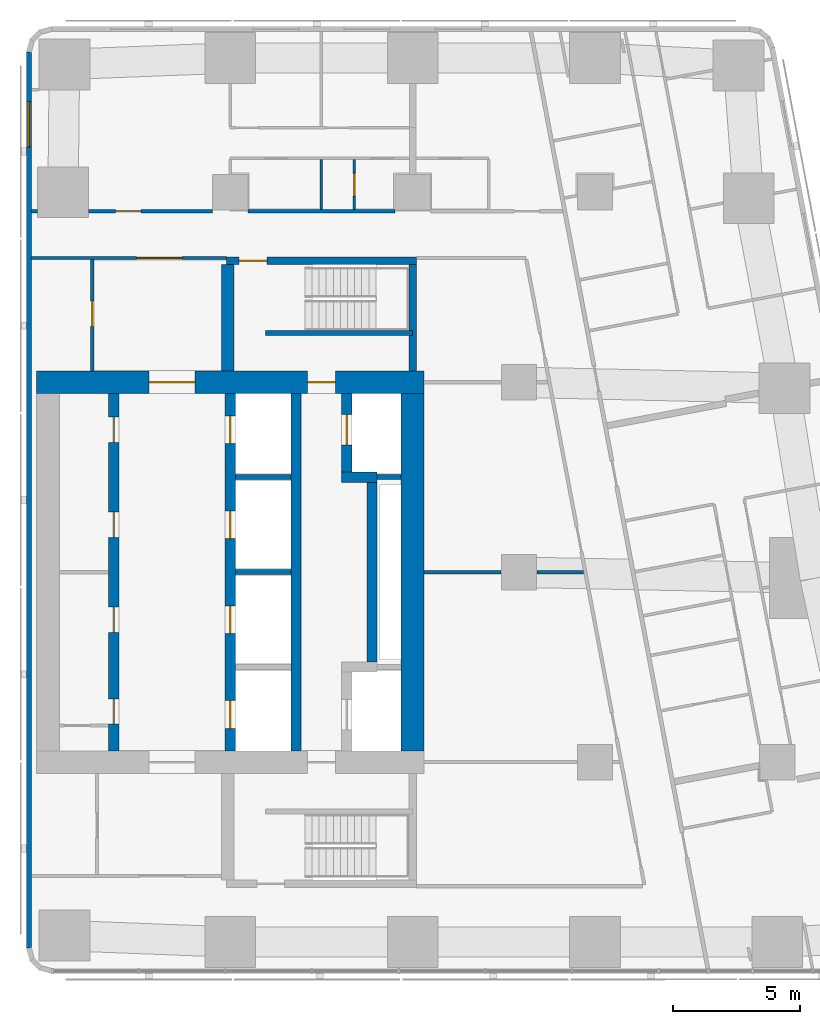
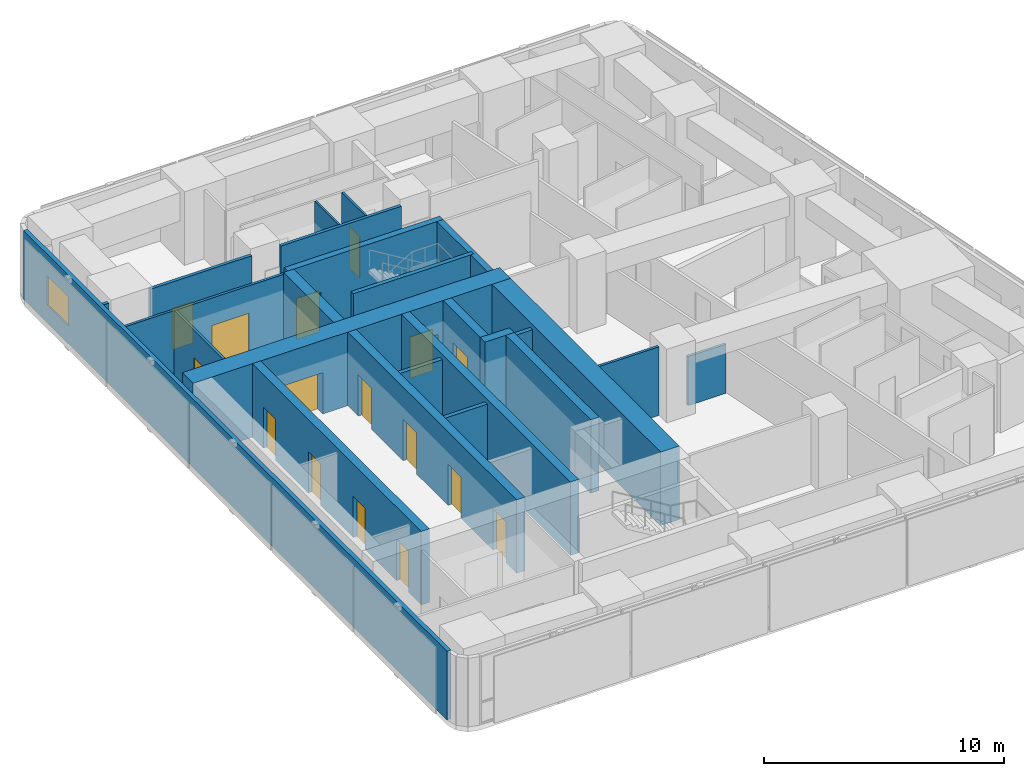
# One storey, part 6 of 11: 25 walls, 16 doors, 1 window, 17 openings.
"""IFC4 building model written with IfcOpenShell, lengths in metres."""

from ifc_helpers import new_model, si_unit, direction, frame, frame_2d, origin, place, context, subcontext, project, spatial, rectangle, extrude, material, layer, layer_set, type_object, element, fill, save


model = new_model("IFC4")

# Units and contexts
model_context = context("Model", 3, precision=1e-05, world=origin(), true_north=direction((0.0, 1.0)))
body_context = subcontext(model_context, "Body", "Model", "MODEL_VIEW")
ifc_project = project(units=[si_unit("LENGTHUNIT", "METRE"), si_unit("AREAUNIT", "SQUARE_METRE"), si_unit("VOLUMEUNIT", "CUBIC_METRE"), si_unit("PLANEANGLEUNIT", "RADIAN"), si_unit("MASSUNIT", "GRAM", prefix="KILO")], contexts=[model_context])

# Site, building, storey
site_placement = place(None, origin())
site = spatial("IfcSite", under=ifc_project, at=site_placement, CompositionType="ELEMENT")
building_placement = place(site_placement, origin())
building = spatial("IfcBuilding", under=site, at=building_placement, Name="Sheger Commons Tower", CompositionType="ELEMENT")
storey_placement = place(building_placement, frame((0.0, 0.0, 274.10009765625)))
storey = spatial("IfcBuildingStorey", under=building, at=storey_placement, Name="L70", CompositionType="ELEMENT", Elevation=274.10009765625)

# Wall, openings, doors
ifc_material_1 = material(Name="Concrete C50/60", Category="concrete")
ifc_layer_1 = layer(ifc_material_1, 0.39990234375)
ifc_layer_set_1 = layer_set([ifc_layer_1], Name="CORE INNER WALL 400")
wall_type_1 = type_object("IfcWallType", Name="CORE INNER WALL 400", PredefinedType="SHEAR", material=ifc_layer_set_1)
wall_1_placement = place(storey_placement, frame((17.0, 15.449951171875, 0.0), z_axis=(0.0, 0.0, 1.0), x_axis=(0.0, 1.0, 0.0)))
wall_1 = element("IfcWall", 1, at=wall_1_placement, inside=storey, type_object=wall_type_1, Name="Core inner wall A L70", PredefinedType="SHEAR", context=body_context, shape_type="SweptSolid", body=[
    extrude(rectangle(XDim=14.10009765625, YDim=0.39990234375, at=frame_2d((7.050048828125, 0.0))), origin(), (0.0, 0.0, 1.0), 3.75),
])
opening_1_placement = place(wall_1_placement, frame((1.050048828125, 0.0, 0.0)))
opening_1 = element("IfcOpeningElement", 2, at=opening_1_placement, cuts=wall_1, Name="Opening D4", PredefinedType="OPENING", context=body_context, shape_type="SweptSolid", body=[
    extrude(rectangle(XDim=1.0, YDim=2.10009765625, at=frame_2d((0.5, 1.050048828125))), frame((0.0, 0.2099609375, 0.0), z_axis=(0.0, -1.0, 0.0), x_axis=(1.0, 0.0, 0.0)), (0.0, 0.0, 1.0), 0.419921875),
])
opening_2_placement = place(wall_1_placement, frame((4.675048828125, 0.0, 0.0)))
opening_2 = element("IfcOpeningElement", 3, at=opening_2_placement, cuts=wall_1, Name="Opening D4", PredefinedType="OPENING", context=body_context, shape_type="SweptSolid", body=[
    extrude(rectangle(XDim=1.0, YDim=2.10009765625, at=frame_2d((0.5, 1.050048828125))), frame((0.0, 0.2099609375, 0.0), z_axis=(0.0, -1.0, 0.0), x_axis=(1.0, 0.0, 0.0)), (0.0, 0.0, 1.0), 0.419921875),
])
opening_3_placement = place(wall_1_placement, frame((8.425048828125, 0.0, 0.0)))
opening_3 = element("IfcOpeningElement", 4, at=opening_3_placement, cuts=wall_1, Name="Opening D4", PredefinedType="OPENING", context=body_context, shape_type="SweptSolid", body=[
    extrude(rectangle(XDim=1.0, YDim=2.10009765625, at=frame_2d((0.5, 1.050048828125))), frame((0.0, 0.2099609375, 0.0), z_axis=(0.0, -1.0, 0.0), x_axis=(1.0, 0.0, 0.0)), (0.0, 0.0, 1.0), 0.419921875),
])
opening_4_placement = place(wall_1_placement, frame((12.175048828125, 0.0, 0.0)))
opening_4 = element("IfcOpeningElement", 5, at=opening_4_placement, cuts=wall_1, Name="Opening D4", PredefinedType="OPENING", context=body_context, shape_type="SweptSolid", body=[
    extrude(rectangle(XDim=1.0, YDim=2.10009765625, at=frame_2d((0.5, 1.050048828125))), frame((0.0, 0.2099609375, 0.0), z_axis=(0.0, -1.0, 0.0), x_axis=(1.0, 0.0, 0.0)), (0.0, 0.0, 1.0), 0.419921875),
])
ifc_material_2 = material(Name="Steel door set, fire rated", Category="steel")
door_type_1 = type_object("IfcDoorType", Name="SERVICE DOOR 1000x2100", OperationType="NOTDEFINED", PredefinedType="DOOR", material=ifc_material_2)
door_1_placement = place(opening_1_placement, origin())
door_1 = element("IfcDoor", 6, at=door_1_placement, inside=storey, type_object=door_type_1, Name="Residents' bulky goods store door", OperationType="SINGLE_SWING_LEFT", OverallHeight=2.10009765625, OverallWidth=1.0, PredefinedType="DOOR", context=body_context, shape_type="SweptSolid", body=[
    extrude(rectangle(XDim=1.0, YDim=2.10009765625, at=frame_2d((0.5, 1.050048828125))), frame((0.0, 0.02490234375, 0.0), z_axis=(0.0, -1.0, 0.0), x_axis=(1.0, 0.0, 0.0)), (0.0, 0.0, 1.0), 0.050048828125),
])
fill(opening_1, door_1)
door_2_placement = place(opening_2_placement, origin())
door_2 = element("IfcDoor", 7, at=door_2_placement, inside=storey, type_object=door_type_1, Name="Residents' bulky goods store door", OperationType="SINGLE_SWING_RIGHT", OverallHeight=2.10009765625, OverallWidth=1.0, PredefinedType="DOOR", context=body_context, shape_type="SweptSolid", body=[
    extrude(rectangle(XDim=1.0, YDim=2.10009765625, at=frame_2d((0.5, 1.050048828125))), frame((0.0, 0.02490234375, 0.0), z_axis=(0.0, -1.0, 0.0), x_axis=(1.0, 0.0, 0.0)), (0.0, 0.0, 1.0), 0.050048828125),
])
fill(opening_2, door_2)
door_3_placement = place(opening_3_placement, origin())
door_3 = element("IfcDoor", 8, at=door_3_placement, inside=storey, type_object=door_type_1, Name="Maintenance workshop door", OperationType="SINGLE_SWING_LEFT", OverallHeight=2.10009765625, OverallWidth=1.0, PredefinedType="DOOR", context=body_context, shape_type="SweptSolid", body=[
    extrude(rectangle(XDim=1.0, YDim=2.10009765625, at=frame_2d((0.5, 1.050048828125))), frame((0.0, 0.02490234375, 0.0), z_axis=(0.0, -1.0, 0.0), x_axis=(1.0, 0.0, 0.0)), (0.0, 0.0, 1.0), 0.050048828125),
])
fill(opening_3, door_3)
door_4_placement = place(opening_4_placement, origin())
door_4 = element("IfcDoor", 9, at=door_4_placement, inside=storey, type_object=door_type_1, Name="Maintenance workshop door", OperationType="SINGLE_SWING_RIGHT", OverallHeight=2.10009765625, OverallWidth=1.0, PredefinedType="DOOR", context=body_context, shape_type="SweptSolid", body=[
    extrude(rectangle(XDim=1.0, YDim=2.10009765625, at=frame_2d((0.5, 1.050048828125))), frame((0.0, 0.02490234375, 0.0), z_axis=(0.0, -1.0, 0.0), x_axis=(1.0, 0.0, 0.0)), (0.0, 0.0, 1.0), 0.050048828125),
])
fill(opening_4, door_4)

wall_2_placement = place(storey_placement, frame((21.60009765625, 15.449951171875, 0.0), z_axis=(0.0, 0.0, 1.0), x_axis=(0.0, 1.0, 0.0)))
wall_2 = element("IfcWall", 10, at=wall_2_placement, inside=storey, type_object=wall_type_1, Name="Core inner wall L L70", PredefinedType="SHEAR", context=body_context, shape_type="SweptSolid", body=[
    extrude(rectangle(XDim=14.10009765625, YDim=0.39990234375, at=frame_2d((7.050048828125, 0.0))), origin(), (0.0, 0.0, 1.0), 3.75),
])
opening_5_placement = place(wall_2_placement, frame((0.875, 0.0, 0.0)))
opening_5 = element("IfcOpeningElement", 11, at=opening_5_placement, cuts=wall_2, Name="Opening LD", PredefinedType="OPENING", context=body_context, shape_type="SweptSolid", body=[
    extrude(rectangle(XDim=1.10009765625, YDim=2.10009765625, at=frame_2d((0.550048828125, 1.050048828125))), frame((0.0, 0.2099609375, 0.0), z_axis=(0.0, -1.0, 0.0), x_axis=(1.0, 0.0, 0.0)), (0.0, 0.0, 1.0), 0.419921875),
])
opening_6_placement = place(wall_2_placement, frame((4.625, 0.0, 0.0)))
opening_6 = element("IfcOpeningElement", 12, at=opening_6_placement, cuts=wall_2, Name="Opening LD", PredefinedType="OPENING", context=body_context, shape_type="SweptSolid", body=[
    extrude(rectangle(XDim=1.10009765625, YDim=2.10009765625, at=frame_2d((0.550048828125, 1.050048828125))), frame((0.0, 0.2099609375, 0.0), z_axis=(0.0, -1.0, 0.0), x_axis=(1.0, 0.0, 0.0)), (0.0, 0.0, 1.0), 0.419921875),
])
opening_7_placement = place(wall_2_placement, frame((8.375, 0.0, 0.0)))
opening_7 = element("IfcOpeningElement", 13, at=opening_7_placement, cuts=wall_2, Name="Opening LD", PredefinedType="OPENING", context=body_context, shape_type="SweptSolid", body=[
    extrude(rectangle(XDim=1.10009765625, YDim=2.10009765625, at=frame_2d((0.550048828125, 1.050048828125))), frame((0.0, 0.2099609375, 0.0), z_axis=(0.0, -1.0, 0.0), x_axis=(1.0, 0.0, 0.0)), (0.0, 0.0, 1.0), 0.419921875),
])
opening_8_placement = place(wall_2_placement, frame((12.125, 0.0, 0.0)))
opening_8 = element("IfcOpeningElement", 14, at=opening_8_placement, cuts=wall_2, Name="Opening LD", PredefinedType="OPENING", context=body_context, shape_type="SweptSolid", body=[
    extrude(rectangle(XDim=1.10009765625, YDim=2.10009765625, at=frame_2d((0.550048828125, 1.050048828125))), frame((0.0, 0.2099609375, 0.0), z_axis=(0.0, -1.0, 0.0), x_axis=(1.0, 0.0, 0.0)), (0.0, 0.0, 1.0), 0.419921875),
])
ifc_material_3 = material(Name="Steel door set, fire rated", Category="steel")
door_type_2 = type_object("IfcDoorType", Name="LIFT LANDING DOOR 1100x2100", OperationType="DOUBLE_DOOR_SLIDING", PredefinedType="DOOR", material=ifc_material_3)
door_5_placement = place(opening_5_placement, origin())
door_5 = element("IfcDoor", 15, at=door_5_placement, inside=storey, type_object=door_type_2, Name="Lift LB1 landing door", OperationType="DOUBLE_DOOR_SLIDING", OverallHeight=2.10009765625, OverallWidth=1.10009765625, PredefinedType="DOOR", context=body_context, shape_type="SweptSolid", body=[
    extrude(rectangle(XDim=1.10009765625, YDim=2.10009765625, at=frame_2d((0.550048828125, 1.050048828125))), frame((0.0, 0.02490234375, 0.0), z_axis=(0.0, -1.0, 0.0), x_axis=(1.0, 0.0, 0.0)), (0.0, 0.0, 1.0), 0.050048828125),
])
fill(opening_5, door_5)
door_6_placement = place(opening_6_placement, origin())
door_6 = element("IfcDoor", 16, at=door_6_placement, inside=storey, type_object=door_type_2, Name="Lift LB2 landing door", OperationType="DOUBLE_DOOR_SLIDING", OverallHeight=2.10009765625, OverallWidth=1.10009765625, PredefinedType="DOOR", context=body_context, shape_type="SweptSolid", body=[
    extrude(rectangle(XDim=1.10009765625, YDim=2.10009765625, at=frame_2d((0.550048828125, 1.050048828125))), frame((0.0, 0.02490234375, 0.0), z_axis=(0.0, -1.0, 0.0), x_axis=(1.0, 0.0, 0.0)), (0.0, 0.0, 1.0), 0.050048828125),
])
fill(opening_6, door_6)
door_7_placement = place(opening_7_placement, origin())
door_7 = element("IfcDoor", 17, at=door_7_placement, inside=storey, type_object=door_type_2, Name="Lift LB3 landing door", OperationType="DOUBLE_DOOR_SLIDING", OverallHeight=2.10009765625, OverallWidth=1.10009765625, PredefinedType="DOOR", context=body_context, shape_type="SweptSolid", body=[
    extrude(rectangle(XDim=1.10009765625, YDim=2.10009765625, at=frame_2d((0.550048828125, 1.050048828125))), frame((0.0, 0.02490234375, 0.0), z_axis=(0.0, -1.0, 0.0), x_axis=(1.0, 0.0, 0.0)), (0.0, 0.0, 1.0), 0.050048828125),
])
fill(opening_7, door_7)
door_8_placement = place(opening_8_placement, origin())
door_8 = element("IfcDoor", 18, at=door_8_placement, inside=storey, type_object=door_type_2, Name="Lift LB4 landing door", OperationType="DOUBLE_DOOR_SLIDING", OverallHeight=2.10009765625, OverallWidth=1.10009765625, PredefinedType="DOOR", context=body_context, shape_type="SweptSolid", body=[
    extrude(rectangle(XDim=1.10009765625, YDim=2.10009765625, at=frame_2d((0.550048828125, 1.050048828125))), frame((0.0, 0.02490234375, 0.0), z_axis=(0.0, -1.0, 0.0), x_axis=(1.0, 0.0, 0.0)), (0.0, 0.0, 1.0), 0.050048828125),
])
fill(opening_8, door_8)

# Walls
wall_3_placement = place(storey_placement, frame((24.199951171875, 15.449951171875, 0.0), z_axis=(0.0, 0.0, 1.0), x_axis=(0.0, 1.0, 0.0)))
element("IfcWall", 19, at=wall_3_placement, inside=storey, type_object=wall_type_1, Name="Core inner wall B L70", PredefinedType="SHEAR", context=body_context, shape_type="SweptSolid", body=[
    extrude(rectangle(XDim=14.10009765625, YDim=0.39990234375, at=frame_2d((7.050048828125, 0.0))), origin(), (0.0, 0.0, 1.0), 3.75),
])
wall_4_placement = place(storey_placement, frame((27.199951171875, 18.949951171875, 0.0), z_axis=(0.0, 0.0, 1.0), x_axis=(0.0, 1.0, 0.0)))
element("IfcWall", 20, at=wall_4_placement, inside=storey, type_object=wall_type_1, Name="Core inner wall F middle L70", PredefinedType="SHEAR", context=body_context, shape_type="SweptSolid", body=[
    extrude(rectangle(XDim=7.10009765625, YDim=0.39990234375, at=frame_2d((3.550048828125, 0.0))), origin(), (0.0, 0.0, 1.0), 3.75),
])
wall_5_placement = place(storey_placement, frame((26.0, 26.25, 0.0), z_axis=(0.0, 0.0, 1.0), x_axis=(1.0, 0.0, 0.0)))
element("IfcWall", 21, at=wall_5_placement, inside=storey, type_object=wall_type_1, Name="Core inner wall F north return L70", PredefinedType="SHEAR", context=body_context, shape_type="SweptSolid", body=[
    extrude(rectangle(XDim=1.39990234375, YDim=0.39990234375, at=frame_2d((0.699951171875, 0.0))), origin(), (0.0, 0.0, 1.0), 3.75),
])

# Wall, opening, door
wall_6_placement = place(storey_placement, frame((26.199951171875, 26.449951171875, 0.0), z_axis=(0.0, 0.0, 1.0), x_axis=(0.0, 1.0, 0.0)))
wall_6 = element("IfcWall", 22, at=wall_6_placement, inside=storey, type_object=wall_type_1, Name="Core inner wall F north L70", PredefinedType="SHEAR", context=body_context, shape_type="SweptSolid", body=[
    extrude(rectangle(XDim=3.10009765625, YDim=0.39990234375, at=frame_2d((1.550048828125, 0.0))), origin(), (0.0, 0.0, 1.0), 3.75),
])
opening_9_placement = place(wall_6_placement, frame((1.074951171875, 0.0, 0.0)))
opening_9 = element("IfcOpeningElement", 23, at=opening_9_placement, cuts=wall_6, Name="Opening LD2", PredefinedType="OPENING", context=body_context, shape_type="SweptSolid", body=[
    extrude(rectangle(XDim=1.199951171875, YDim=2.10009765625, at=frame_2d((0.60009765625, 1.050048828125))), frame((0.0, 0.2099609375, 0.0), z_axis=(0.0, -1.0, 0.0), x_axis=(1.0, 0.0, 0.0)), (0.0, 0.0, 1.0), 0.419921875),
])
ifc_material_4 = material(Name="Steel door set, fire rated", Category="steel")
door_type_3 = type_object("IfcDoorType", Name="FIREFIGHTING LIFT LANDING DOOR 1200x2100", OperationType="DOUBLE_DOOR_SLIDING", PredefinedType="DOOR", material=ifc_material_4)
door_9_placement = place(opening_9_placement, origin())
door_9 = element("IfcDoor", 24, at=door_9_placement, inside=storey, type_object=door_type_3, Name="Lift FL2 landing door", OperationType="DOUBLE_DOOR_SLIDING", OverallHeight=2.10009765625, OverallWidth=1.199951171875, PredefinedType="DOOR", context=body_context, shape_type="SweptSolid", body=[
    extrude(rectangle(XDim=1.199951171875, YDim=2.10009765625, at=frame_2d((0.60009765625, 1.050048828125))), frame((0.0, 0.02490234375, 0.0), z_axis=(0.0, -1.0, 0.0), x_axis=(1.0, 0.0, 0.0)), (0.0, 0.0, 1.0), 0.050048828125),
])
fill(opening_9, door_9)

# Wall, openings, doors
ifc_material_5 = material(Name="Concrete C50/60", Category="concrete")
ifc_layer_2 = layer(ifc_material_5, 0.89990234375)
ifc_layer_set_2 = layer_set([ifc_layer_2], Name="CORE WALL 900")
wall_type_2 = type_object("IfcWallType", Name="CORE WALL 900", PredefinedType="SHEAR", material=ifc_layer_set_2)
wall_7_placement = place(storey_placement, frame((13.949951171875, 30.0, 0.0), z_axis=(0.0, 0.0, 1.0), x_axis=(1.0, 0.0, 0.0)))
wall_7 = element("IfcWall", 25, at=wall_7_placement, inside=storey, type_object=wall_type_2, Name="Core wall north L70", PredefinedType="SHEAR", context=body_context, shape_type="SweptSolid", body=[
    extrude(rectangle(XDim=15.300048828125, YDim=0.89990234375, at=frame_2d((7.64990234375, 0.0))), origin(), (0.0, 0.0, 1.0), 3.75),
])
opening_10_placement = place(wall_7_placement, frame((4.449951171875, 0.0, 0.0)))
opening_10 = element("IfcOpeningElement", 26, at=opening_10_placement, cuts=wall_7, Name="Opening D6", PredefinedType="OPENING", context=body_context, shape_type="SweptSolid", body=[
    extrude(rectangle(XDim=1.800048828125, YDim=2.10009765625, at=frame_2d((0.89990234375, 1.050048828125))), frame((0.0, 0.4599609375, 0.0), z_axis=(0.0, -1.0, 0.0), x_axis=(1.0, 0.0, 0.0)), (0.0, 0.0, 1.0), 0.919921875),
])
opening_11_placement = place(wall_7_placement, frame((10.699951171875, 0.0, 0.0)))
opening_11 = element("IfcOpeningElement", 27, at=opening_11_placement, cuts=wall_7, Name="Opening D5", PredefinedType="OPENING", context=body_context, shape_type="SweptSolid", body=[
    extrude(rectangle(XDim=1.10009765625, YDim=2.10009765625, at=frame_2d((0.550048828125, 1.050048828125))), frame((0.0, 0.4599609375, 0.0), z_axis=(0.0, -1.0, 0.0), x_axis=(1.0, 0.0, 0.0)), (0.0, 0.0, 1.0), 0.919921875),
])
ifc_material_6 = material(Name="Steel door set, fire rated", Category="steel")
door_type_4 = type_object("IfcDoorType", Name="LOBBY DOUBLE DOOR 1800x2100", OperationType="DOUBLE_DOOR_SINGLE_SWING", PredefinedType="DOOR", material=ifc_material_6)
door_10_placement = place(opening_10_placement, origin())
door_10 = element("IfcDoor", 28, at=door_10_placement, inside=storey, type_object=door_type_4, Name="Lift lobby door", OperationType="DOUBLE_DOOR_SINGLE_SWING", OverallHeight=2.10009765625, OverallWidth=1.800048828125, PredefinedType="DOOR", context=body_context, shape_type="SweptSolid", body=[
    extrude(rectangle(XDim=1.800048828125, YDim=2.10009765625, at=frame_2d((0.89990234375, 1.050048828125))), frame((0.0, 0.02490234375, 0.0), z_axis=(0.0, -1.0, 0.0), x_axis=(1.0, 0.0, 0.0)), (0.0, 0.0, 1.0), 0.050048828125),
])
fill(opening_10, door_10)
ifc_material_7 = material(Name="Steel door set, fire rated", Category="steel")
door_type_5 = type_object("IfcDoorType", Name="STAIR DOOR 1100x2100", OperationType="NOTDEFINED", PredefinedType="DOOR", material=ifc_material_7)
door_11_placement = place(opening_11_placement, origin())
door_11 = element("IfcDoor", 29, at=door_11_placement, inside=storey, type_object=door_type_5, Name="Fire-fighting lobby door", OperationType="SINGLE_SWING_RIGHT", OverallHeight=2.10009765625, OverallWidth=1.10009765625, PredefinedType="DOOR", context=body_context, shape_type="SweptSolid", body=[
    extrude(rectangle(XDim=1.10009765625, YDim=2.10009765625, at=frame_2d((0.550048828125, 1.050048828125))), frame((0.0, 0.02490234375, 0.0), z_axis=(0.0, -1.0, 0.0), x_axis=(1.0, 0.0, 0.0)), (0.0, 0.0, 1.0), 0.050048828125),
])
fill(opening_11, door_11)

# Walls
wall_8_placement = place(storey_placement, frame((28.800048828125, 15.449951171875, 0.0), z_axis=(0.0, 0.0, 1.0), x_axis=(0.0, 1.0, 0.0)))
element("IfcWall", 30, at=wall_8_placement, inside=storey, type_object=wall_type_2, Name="Core wall east L70", PredefinedType="SHEAR", context=body_context, shape_type="SweptSolid", body=[
    extrude(rectangle(XDim=14.10009765625, YDim=0.89990234375, at=frame_2d((7.050048828125, 0.0))), origin(), (0.0, 0.0, 1.0), 3.75),
])
ifc_material_8 = material(Name="Hollow concrete block masonry, skimmed both sides", Category="masonry")
ifc_layer_3 = layer(ifc_material_8, 0.14990234375)
ifc_layer_set_3 = layer_set([ifc_layer_3], Name="CORRIDOR WALL 150")
wall_type_3 = type_object("IfcWallType", Name="CORRIDOR WALL 150", PredefinedType="SOLIDWALL", material=ifc_layer_set_3)
wall_9_placement = place(storey_placement, frame((13.75, 36.75, 0.0), z_axis=(0.0, 0.0, 1.0), x_axis=(1.0, 0.0, 0.0)))
element("IfcWall", 31, at=wall_9_placement, inside=storey, type_object=wall_type_3, Name="Corridor wall L70", PredefinedType="SOLIDWALL", context=body_context, shape_type="SweptSolid", body=[
    extrude(rectangle(XDim=0.2490234375, YDim=0.14990234375, at=frame_2d((0.12451171875, 0.0))), origin(), (0.0, 0.0, 1.0), 3.5),
])

# Wall, opening, door
wall_10_placement = place(storey_placement, frame((16.0009765625, 36.75, 0.0), z_axis=(0.0, 0.0, 1.0), x_axis=(1.0, 0.0, 0.0)))
wall_10 = element("IfcWall", 32, at=wall_10_placement, inside=storey, type_object=wall_type_3, Name="Corridor wall L70", PredefinedType="SOLIDWALL", context=body_context, shape_type="SweptSolid", body=[
    extrude(rectangle(XDim=4.89794921875, YDim=0.14990234375, at=frame_2d((2.448974609375, 0.0))), origin(), (0.0, 0.0, 1.0), 3.5),
])
opening_12_placement = place(wall_10_placement, frame((1.073974609375, 0.0, 0.0)))
opening_12 = element("IfcOpeningElement", 33, at=opening_12_placement, cuts=wall_10, Name="Opening D1", PredefinedType="OPENING", context=body_context, shape_type="SweptSolid", body=[
    extrude(rectangle(XDim=1.0, YDim=2.10009765625, at=frame_2d((0.5, 1.050048828125))), frame((0.0, 0.0849609375, 0.0), z_axis=(0.0, -1.0, 0.0), x_axis=(1.0, 0.0, 0.0)), (0.0, 0.0, 1.0), 0.169921875),
])
ifc_material_9 = material(Name="Steel door set, fire rated", Category="steel")
door_type_6 = type_object("IfcDoorType", Name="FLAT ENTRANCE DOOR 1000x2100", OperationType="NOTDEFINED", PredefinedType="DOOR", material=ifc_material_9)
door_12_placement = place(opening_12_placement, origin())
door_12 = element("IfcDoor", 34, at=door_12_placement, inside=storey, type_object=door_type_6, Name="Flat entrance door", OperationType="SINGLE_SWING_LEFT", OverallHeight=2.10009765625, OverallWidth=1.0, PredefinedType="DOOR", context=body_context, shape_type="SweptSolid", body=[
    extrude(rectangle(XDim=1.0, YDim=2.10009765625, at=frame_2d((0.5, 1.050048828125))), frame((0.0, 0.02490234375, 0.0), z_axis=(0.0, -1.0, 0.0), x_axis=(1.0, 0.0, 0.0)), (0.0, 0.0, 1.0), 0.050048828125),
])
fill(opening_12, door_12)

# Wall
wall_11_placement = place(storey_placement, frame((22.301025390625, 36.75, 0.0), z_axis=(0.0, 0.0, 1.0), x_axis=(1.0, 0.0, 0.0)))
element("IfcWall", 35, at=wall_11_placement, inside=storey, type_object=wall_type_3, Name="Corridor wall L70", PredefinedType="SOLIDWALL", context=body_context, shape_type="SweptSolid", body=[
    extrude(rectangle(XDim=5.798095703125, YDim=0.14990234375, at=frame_2d((2.89892578125, 0.0))), origin(), (0.0, 0.0, 1.0), 3.5),
])

# Wall, opening, window
ifc_material_10 = material(Name="Rendered concrete block masonry, dark grey", Category="masonry")
ifc_layer_4 = layer(ifc_material_10, 0.199951171875)
ifc_layer_set_4 = layer_set([ifc_layer_4], Name="FACADE WALL 200")
wall_type_4 = type_object("IfcWallType", Name="FACADE WALL 200", PredefinedType="SOLIDWALL", material=ifc_layer_set_4)
wall_12_placement = place(storey_placement, frame((13.64990234375, 43.037109375, 0.0), z_axis=(0.0, 0.0, 1.0), x_axis=(0.0, -1.0, 0.0)))
wall_12 = element("IfcWall", 36, at=wall_12_placement, inside=storey, type_object=wall_type_4, Name="Facade wall L70", PredefinedType="SOLIDWALL", context=body_context, shape_type="SweptSolid", body=[
    extrude(rectangle(XDim=35.3740234375, YDim=0.199951171875, at=frame_2d((17.68701171875, 0.0))), origin(), (0.0, 0.0, 1.0), 3.5),
])
opening_13_placement = place(wall_12_placement, frame((1.958984375, 0.0, 0.89990234375)))
opening_13 = element("IfcOpeningElement", 37, at=opening_13_placement, cuts=wall_12, Name="Opening W2", PredefinedType="OPENING", context=body_context, shape_type="SweptSolid", body=[
    extrude(rectangle(XDim=1.800048828125, YDim=1.5, at=frame_2d((0.89990234375, 0.75))), frame((0.0, 0.10986328125, 0.0), z_axis=(0.0, -1.0, 0.0), x_axis=(1.0, 0.0, 0.0)), (0.0, 0.0, 1.0), 0.219970703125),
])
ifc_material_11 = material(Name="Black aluminium frame, dark tinted double glazing", Category="aluminium")
window_type = type_object("IfcWindowType", Name="WINDOW W2 1800x1500", PartitioningType="SINGLE_PANEL", PredefinedType="WINDOW", material=ifc_material_11)
window_placement = place(opening_13_placement, origin())
window = element("IfcWindow", 38, at=window_placement, inside=storey, type_object=window_type, Name="Window W2 1800X1500", OverallHeight=1.5, OverallWidth=1.800048828125, PartitioningType="SINGLE_PANEL", PredefinedType="WINDOW", context=body_context, shape_type="SweptSolid", body=[
    extrude(rectangle(XDim=1.800048828125, YDim=1.5, at=frame_2d((0.89990234375, 0.75))), frame((0.0, 0.030029296875, 0.0), z_axis=(0.0, -1.0, 0.0), x_axis=(1.0, 0.0, 0.0)), (0.0, 0.0, 1.0), 0.06005859375),
])
fill(opening_13, window)

# Wall
ifc_material_12 = material(Name="Gypsum board on steel studs", Category="steel")
ifc_layer_5 = layer(ifc_material_12, 0.10009765625)
ifc_layer_set_5 = layer_set([ifc_layer_5], Name="PARTITION 100")
wall_type_5 = type_object("IfcWallType", Name="PARTITION 100", PredefinedType="PARTITIONING", material=ifc_layer_set_5)
wall_13_placement = place(storey_placement, frame((25.199951171875, 36.824951171875, 0.0), z_axis=(0.0, 0.0, 1.0), x_axis=(0.0, 1.0, 0.0)))
element("IfcWall", 39, at=wall_13_placement, inside=storey, type_object=wall_type_5, Name="Partition L70", PredefinedType="PARTITIONING", context=body_context, shape_type="SweptSolid", body=[
    extrude(rectangle(XDim=1.97509765625, YDim=0.10009765625, at=frame_2d((0.987548828125, 0.0))), origin(), (0.0, 0.0, 1.0), 3.5),
])

# Wall, opening, door
wall_14_placement = place(storey_placement, frame((26.5, 36.824951171875, 0.0), z_axis=(0.0, 0.0, 1.0), x_axis=(0.0, 1.0, 0.0)))
wall_14 = element("IfcWall", 40, at=wall_14_placement, inside=storey, type_object=wall_type_5, Name="Partition L70", PredefinedType="PARTITIONING", context=body_context, shape_type="SweptSolid", body=[
    extrude(rectangle(XDim=1.97509765625, YDim=0.10009765625, at=frame_2d((0.987548828125, 0.0))), origin(), (0.0, 0.0, 1.0), 3.5),
])
opening_14_placement = place(wall_14_placement, frame((0.52490234375, 0.0, 0.0)))
opening_14 = element("IfcOpeningElement", 41, at=opening_14_placement, cuts=wall_14, Name="Opening D2", PredefinedType="OPENING", context=body_context, shape_type="SweptSolid", body=[
    extrude(rectangle(XDim=0.89990234375, YDim=2.10009765625, at=frame_2d((0.449951171875, 1.050048828125))), frame((0.0, 0.06005859375, 0.0), z_axis=(0.0, -1.0, 0.0), x_axis=(1.0, 0.0, 0.0)), (0.0, 0.0, 1.0), 0.1201171875),
])
ifc_material_13 = material(Name="Timber door set", Category="wood")
door_type_7 = type_object("IfcDoorType", Name="INTERNAL DOOR 900x2100", OperationType="NOTDEFINED", PredefinedType="DOOR", material=ifc_material_13)
door_13_placement = place(opening_14_placement, origin())
door_13 = element("IfcDoor", 42, at=door_13_placement, inside=storey, type_object=door_type_7, Name="Linen store door", OperationType="SINGLE_SWING_LEFT", OverallHeight=2.10009765625, OverallWidth=0.89990234375, PredefinedType="DOOR", context=body_context, shape_type="SweptSolid", body=[
    extrude(rectangle(XDim=0.89990234375, YDim=2.10009765625, at=frame_2d((0.449951171875, 1.050048828125))), frame((0.0, 0.02490234375, 0.0), z_axis=(0.0, -1.0, 0.0), x_axis=(1.0, 0.0, 0.0)), (0.0, 0.0, 1.0), 0.050048828125),
])
fill(opening_14, door_13)

ifc_material_14 = material(Name="Gypsum board on steel studs, two layers each side, fire rated", Category="steel")
ifc_layer_6 = layer(ifc_material_14, 0.125)
ifc_layer_set_6 = layer_set([ifc_layer_6], Name="SERVICE WALL 125")
wall_type_6 = type_object("IfcWallType", Name="SERVICE WALL 125", PredefinedType="PARTITIONING", material=ifc_layer_set_6)
wall_15_placement = place(storey_placement, frame((13.75, 34.89990234375, 0.0), z_axis=(0.0, 0.0, 1.0), x_axis=(1.0, 0.0, 0.0)))
wall_15 = element("IfcWall", 43, at=wall_15_placement, inside=storey, type_object=wall_type_6, Name="Service room wall L70", PredefinedType="PARTITIONING", context=body_context, shape_type="SweptSolid", body=[
    extrude(rectangle(XDim=7.699951171875, YDim=0.125, at=frame_2d((3.85009765625, 0.0))), origin(), (0.0, 0.0, 1.0), 3.5),
])
opening_15_placement = place(wall_15_placement, frame((4.14990234375, 0.0, 0.0)))
opening_15 = element("IfcOpeningElement", 44, at=opening_15_placement, cuts=wall_15, Name="Opening D6", PredefinedType="OPENING", context=body_context, shape_type="SweptSolid", body=[
    extrude(rectangle(XDim=1.800048828125, YDim=2.10009765625, at=frame_2d((0.89990234375, 1.050048828125))), frame((0.0, 0.072509765625, 0.0), z_axis=(0.0, -1.0, 0.0), x_axis=(1.0, 0.0, 0.0)), (0.0, 0.0, 1.0), 0.14501953125),
])
door_14_placement = place(opening_15_placement, origin())
door_14 = element("IfcDoor", 45, at=door_14_placement, inside=storey, type_object=door_type_4, Name="Lift lobby north door", OperationType="DOUBLE_DOOR_SINGLE_SWING", OverallHeight=2.10009765625, OverallWidth=1.800048828125, PredefinedType="DOOR", context=body_context, shape_type="SweptSolid", body=[
    extrude(rectangle(XDim=1.800048828125, YDim=2.10009765625, at=frame_2d((0.89990234375, 1.050048828125))), frame((0.0, 0.02490234375, 0.0), z_axis=(0.0, -1.0, 0.0), x_axis=(1.0, 0.0, 0.0)), (0.0, 0.0, 1.0), 0.050048828125),
])
fill(opening_15, door_14)

wall_16_placement = place(storey_placement, frame((16.14990234375, 30.449951171875, 0.0), z_axis=(0.0, 0.0, 1.0), x_axis=(0.0, 1.0, 0.0)))
wall_16 = element("IfcWall", 46, at=wall_16_placement, inside=storey, type_object=wall_type_6, Name="Service room wall L70", PredefinedType="PARTITIONING", context=body_context, shape_type="SweptSolid", body=[
    extrude(rectangle(XDim=4.386962890625, YDim=0.125, at=frame_2d((2.193359375, 0.0))), origin(), (0.0, 0.0, 1.0), 3.5),
])
opening_16_placement = place(wall_16_placement, frame((1.75, 0.0, 0.0)))
opening_16 = element("IfcOpeningElement", 47, at=opening_16_placement, cuts=wall_16, Name="Opening D4", PredefinedType="OPENING", context=body_context, shape_type="SweptSolid", body=[
    extrude(rectangle(XDim=1.0, YDim=2.10009765625, at=frame_2d((0.5, 1.050048828125))), frame((0.0, 0.072509765625, 0.0), z_axis=(0.0, -1.0, 0.0), x_axis=(1.0, 0.0, 0.0)), (0.0, 0.0, 1.0), 0.14501953125),
])
door_15_placement = place(opening_16_placement, origin())
door_15 = element("IfcDoor", 48, at=door_15_placement, inside=storey, type_object=door_type_1, Name="Telecom room door", OperationType="SINGLE_SWING_RIGHT", OverallHeight=2.10009765625, OverallWidth=1.0, PredefinedType="DOOR", context=body_context, shape_type="SweptSolid", body=[
    extrude(rectangle(XDim=1.0, YDim=2.10009765625, at=frame_2d((0.5, 1.050048828125))), frame((0.0, 0.02490234375, 0.0), z_axis=(0.0, -1.0, 0.0), x_axis=(1.0, 0.0, 0.0)), (0.0, 0.0, 1.0), 0.050048828125),
])
fill(opening_16, door_15)

# Walls
wall_17_placement = place(storey_placement, frame((29.25, 22.5, 0.0), z_axis=(0.0, 0.0, 1.0), x_axis=(1.0, 0.0, 0.0)))
element("IfcWall", 49, at=wall_17_placement, inside=storey, type_object=wall_type_6, Name="Service room wall L70", PredefinedType="PARTITIONING", context=body_context, shape_type="SweptSolid", body=[
    extrude(rectangle(XDim=3.049072265625, YDim=0.125, at=frame_2d((1.5244140625, 0.0))), origin(), (0.0, 0.0, 1.0), 3.5),
])
wall_18_placement = place(storey_placement, frame((33.700927734375, 22.5, 0.0), z_axis=(0.0, 0.0, 1.0), x_axis=(1.0, 0.0, 0.0)))
element("IfcWall", 50, at=wall_18_placement, inside=storey, type_object=wall_type_6, Name="Service room wall L70", PredefinedType="PARTITIONING", context=body_context, shape_type="SweptSolid", body=[
    extrude(rectangle(XDim=1.841064453125, YDim=0.125, at=frame_2d((0.92041015625, 0.0))), origin(), (0.0, 0.0, 1.0), 2.5),
])
ifc_material_15 = material(Name="Hollow concrete block masonry", Category="masonry")
ifc_layer_7 = layer(ifc_material_15, 0.199951171875)
ifc_layer_set_7 = layer_set([ifc_layer_7], Name="SHAFT WALL 200")
wall_type_7 = type_object("IfcWallType", Name="SHAFT WALL 200", PredefinedType="SOLIDWALL", material=ifc_layer_set_7)
for number, where, z_axis, x_axis, name in (
    (51, (21.800048828125, 22.5, 0.0), (0.0, 0.0, 1.0), (1.0, 0.0, 0.0), "Lift shaft wall L70"),
    (52, (21.800048828125, 26.25, 0.0), (0.0, 0.0, 1.0), (1.0, 0.0, 0.0), "Lift shaft wall L70"),
):
    element("IfcWall", number, at=place(storey_placement, frame(where, z_axis=z_axis, x_axis=x_axis)), inside=storey, type_object=wall_type_7, Name=name, PredefinedType="SOLIDWALL", context=body_context, shape_type="SweptSolid", body=[
        extrude(rectangle(XDim=2.199951171875, YDim=0.199951171875, at=frame_2d((1.10009765625, 0.0))), origin(), (0.0, 0.0, 1.0), 3.5),
    ])
wall_19_placement = place(storey_placement, frame((27.39990234375, 26.25, 0.0), z_axis=(0.0, 0.0, 1.0), x_axis=(1.0, 0.0, 0.0)))
element("IfcWall", 53, at=wall_19_placement, inside=storey, type_object=wall_type_7, Name="Lift shaft wall L70", PredefinedType="SOLIDWALL", context=body_context, shape_type="SweptSolid", body=[
    extrude(rectangle(XDim=0.9501953125, YDim=0.199951171875, at=frame_2d((0.47509765625, 0.0))), origin(), (0.0, 0.0, 1.0), 3.5),
])

# Wall, opening, door
ifc_material_16 = material(Name="Concrete C50/60", Category="concrete")
ifc_layer_8 = layer(ifc_material_16, 0.300048828125)
ifc_layer_set_8 = layer_set([ifc_layer_8], Name="STAIR CORE WALL 300")
wall_type_8 = type_object("IfcWallType", Name="STAIR CORE WALL 300", PredefinedType="SHEAR", material=ifc_layer_set_8)
wall_20_placement = place(storey_placement, frame((21.449951171875, 34.800048828125, 0.0), z_axis=(0.0, 0.0, 1.0), x_axis=(1.0, 0.0, 0.0)))
wall_20 = element("IfcWall", 54, at=wall_20_placement, inside=storey, type_object=wall_type_8, Name="STW-L70-S2N", PredefinedType="SHEAR", context=body_context, shape_type="SweptSolid", body=[
    extrude(rectangle(XDim=7.5, YDim=0.300048828125, at=frame_2d((3.75, 0.0))), origin(), (0.0, 0.0, 1.0), 3.75),
])
opening_17_placement = place(wall_20_placement, frame((0.5, 0.0, 0.0)))
opening_17 = element("IfcOpeningElement", 55, at=opening_17_placement, cuts=wall_20, Name="Opening D5", PredefinedType="OPENING", context=body_context, shape_type="SweptSolid", body=[
    extrude(rectangle(XDim=1.10009765625, YDim=2.10009765625, at=frame_2d((0.550048828125, 1.050048828125))), frame((0.0, 0.159912109375, 0.0), z_axis=(0.0, -1.0, 0.0), x_axis=(1.0, 0.0, 0.0)), (0.0, 0.0, 1.0), 0.320068359375),
])
door_16_placement = place(opening_17_placement, origin())
door_16 = element("IfcDoor", 56, at=door_16_placement, inside=storey, type_object=door_type_5, Name="Stair S2 door", OperationType="SINGLE_SWING_RIGHT", OverallHeight=2.10009765625, OverallWidth=1.10009765625, PredefinedType="DOOR", context=body_context, shape_type="SweptSolid", body=[
    extrude(rectangle(XDim=1.10009765625, YDim=2.10009765625, at=frame_2d((0.550048828125, 1.050048828125))), frame((0.0, 0.02490234375, 0.0), z_axis=(0.0, -1.0, 0.0), x_axis=(1.0, 0.0, 0.0)), (0.0, 0.0, 1.0), 0.050048828125),
])
fill(opening_17, door_16)

# Walls
wall_21_placement = place(storey_placement, frame((28.800048828125, 30.449951171875, 0.0), z_axis=(0.0, 0.0, 1.0), x_axis=(0.0, 1.0, 0.0)))
element("IfcWall", 57, at=wall_21_placement, inside=storey, type_object=wall_type_8, Name="STW-L70-S2E", PredefinedType="SHEAR", context=body_context, shape_type="SweptSolid", body=[
    extrude(rectangle(XDim=4.199951171875, YDim=0.300048828125, at=frame_2d((2.10009765625, 0.0))), origin(), (0.0, 0.0, 1.0), 3.75),
])
ifc_material_17 = material(Name="Concrete C50/60", Category="concrete")
ifc_layer_9 = layer(ifc_material_17, 0.5)
ifc_layer_set_9 = layer_set([ifc_layer_9], Name="STAIR CORE WALL 500")
wall_type_9 = type_object("IfcWallType", Name="STAIR CORE WALL 500", PredefinedType="SHEAR", material=ifc_layer_set_9)
wall_22_placement = place(storey_placement, frame((21.5, 30.449951171875, 0.0), z_axis=(0.0, 0.0, 1.0), x_axis=(0.0, 1.0, 0.0)))
element("IfcWall", 58, at=wall_22_placement, inside=storey, type_object=wall_type_9, Name="STW-L70-S2W", PredefinedType="SHEAR", context=body_context, shape_type="SweptSolid", body=[
    extrude(rectangle(XDim=4.199951171875, YDim=0.5, at=frame_2d((2.10009765625, 0.0))), origin(), (0.0, 0.0, 1.0), 3.75),
])
ifc_material_18 = material(Name="Concrete C50/60", Category="concrete")
ifc_layer_10 = layer(ifc_material_18, 0.199951171875)
ifc_layer_set_10 = layer_set([ifc_layer_10], Name="STAIR SPINE WALL 200")
wall_type_10 = type_object("IfcWallType", Name="STAIR SPINE WALL 200", PredefinedType="SHEAR", material=ifc_layer_set_10)
wall_23_placement = place(storey_placement, frame((23.0, 31.949951171875, 0.0), z_axis=(0.0, 0.0, 1.0), x_axis=(1.0, 0.0, 0.0)))
element("IfcWall", 59, at=wall_23_placement, inside=storey, type_object=wall_type_10, Name="Stair spine wall L70", PredefinedType="SHEAR", context=body_context, shape_type="SweptSolid", body=[
    extrude(rectangle(XDim=5.800048828125, YDim=0.199951171875, at=frame_2d((2.89990234375, 0.0))), origin(), (0.0, 0.0, 1.0), 3.75),
])

save(model, "model.ifc")
